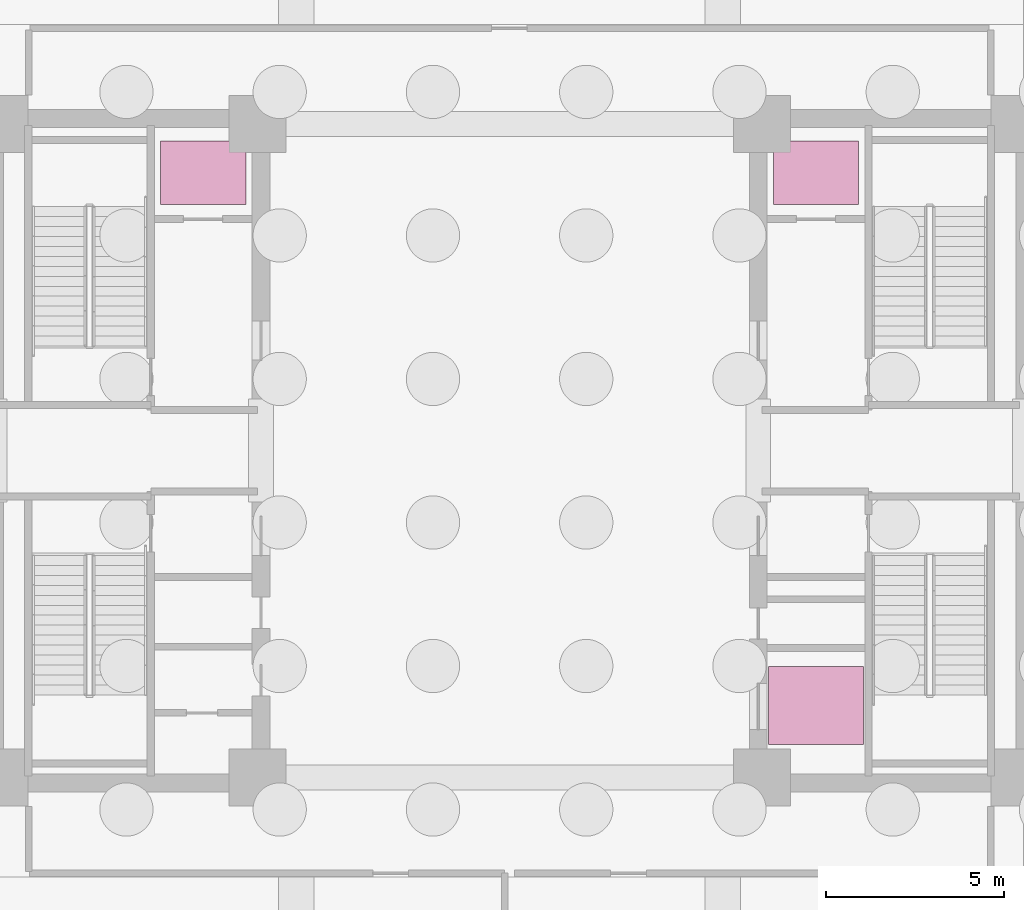
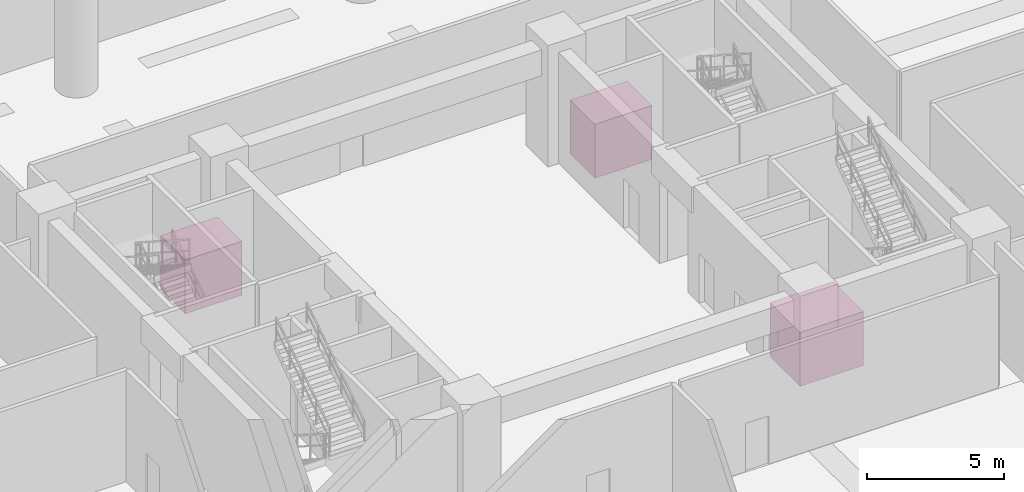
# One storey, part 7 of 7: 3 transport elements.
"""IFC4 building model written with IfcOpenShell, lengths in metres."""

from ifc_helpers import new_model, si_unit, direction, frame, origin, origin_2d, place, context, subcontext, project, spatial, rectangle, extrude, source, transform, mapped, material, type_object, element, save


model = new_model("IFC4")

# Units and contexts
model_context = context("Model", 3, precision=1e-05, world=origin(), true_north=direction((0.0, 1.0)))
body_context = subcontext(model_context, "Body", "Model", "MODEL_VIEW")
ifc_project = project(units=[si_unit("LENGTHUNIT", "METRE"), si_unit("AREAUNIT", "SQUARE_METRE"), si_unit("VOLUMEUNIT", "CUBIC_METRE"), si_unit("PLANEANGLEUNIT", "RADIAN"), si_unit("MASSUNIT", "GRAM", prefix="KILO")], contexts=[model_context])

# Site, building, storey
site_placement = place(None, origin())
site = spatial("IfcSite", under=ifc_project, at=site_placement, CompositionType="ELEMENT")
building_placement = place(site_placement, origin())
building = spatial("IfcBuilding", under=site, at=building_placement, Name="Zahravan Cultural Tower", CompositionType="ELEMENT")
storey_placement = place(building_placement, frame((0.0, 0.0, -5.39990234375)))
storey = spatial("IfcBuildingStorey", under=building, at=storey_placement, Name="B1", CompositionType="ELEMENT", Elevation=-5.39990234375)

# Transport elements
ifc_material = material(Name="Steel ASTM A572 Grade 50", Category="steel")
transport_element_type_1 = type_object("IfcTransportElementType", Name="LFT-FFL", PredefinedType="ELEVATOR", material=ifc_material)
shared_shape_1 = source(origin(), body_context, "Body", "SweptSolid", [
    extrude(rectangle(XDim=2.39990234375, YDim=1.800048828125, at=origin_2d()), origin(), (0.0, 0.0, 1.0), 2.39990234375),
])
for number, where, z_axis, x_axis, name in (
    (1, (27.375, 34.824951171875, 0.0), (0.0, 0.0, 1.0), (1.0, 0.0, 0.0), "Elevator Car FFL2"),
    (2, (44.625, 34.824951171875, 0.0), (0.0, 0.0, 1.0), (1.0, 0.0, 0.0), "Elevator Car FFL1"),
):
    element("IfcTransportElement", number, at=place(storey_placement, frame(where, z_axis=z_axis, x_axis=x_axis)), inside=storey, type_object=transport_element_type_1, Name=name, PredefinedType="ELEVATOR", context=body_context, shape_type="MappedRepresentation", body=[
        mapped(shared_shape_1, transform((0.0, 0.0, 0.0), x_axis=(1.0, 0.0, 0.0), y_axis=(0.0, 1.0, 0.0), z_axis=(0.0, 0.0, 1.0), scale=1.0)),
    ])
transport_element_type_2 = type_object("IfcTransportElementType", Name="LFT-SVL", PredefinedType="ELEVATOR", material=ifc_material)
shared_shape_2 = source(origin(), body_context, "Body", "SweptSolid", [
    extrude(rectangle(XDim=2.669921875, YDim=2.199951171875, at=origin_2d()), origin(), (0.0, 0.0, 1.0), 2.39990234375),
])
transport_element_placement = place(storey_placement, frame((44.625, 19.824951171875, 0.0), z_axis=(0.0, 0.0, 1.0), x_axis=(1.0, 0.0, 0.0)))
element("IfcTransportElement", 3, at=transport_element_placement, inside=storey, type_object=transport_element_type_2, Name="Elevator Car SVL1", PredefinedType="ELEVATOR", context=body_context, shape_type="MappedRepresentation", body=[
    mapped(shared_shape_2, transform((0.0, 0.0, 0.0), x_axis=(1.0, 0.0, 0.0), y_axis=(0.0, 1.0, 0.0), z_axis=(0.0, 0.0, 1.0), scale=1.0)),
])

save(model, "model.ifc")
